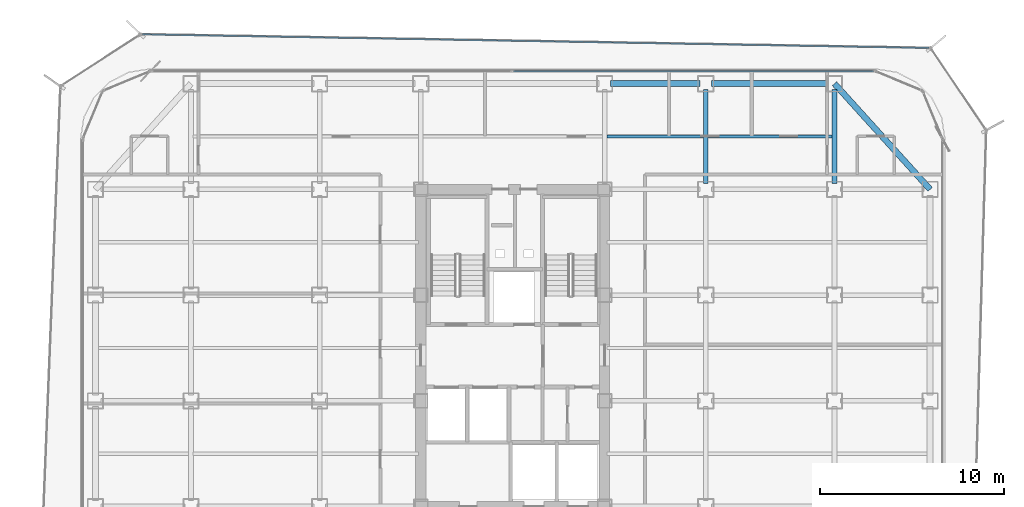
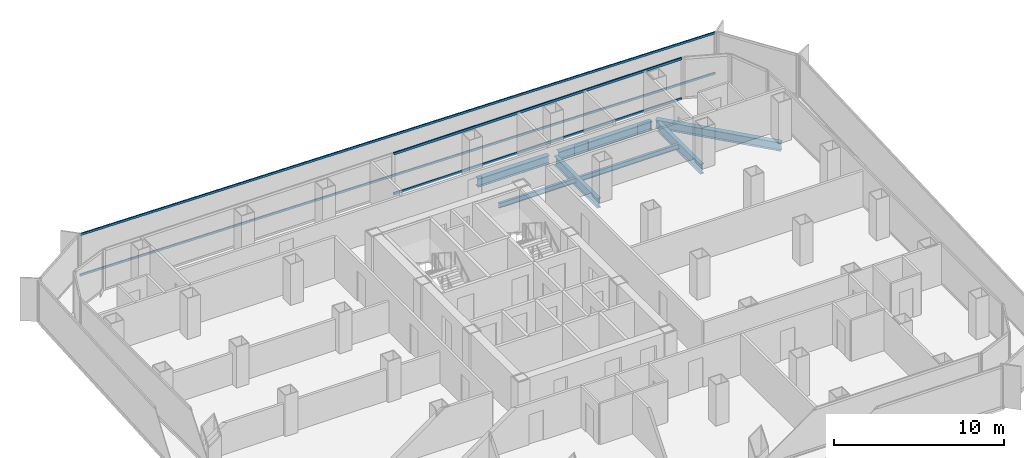
# One storey, part 13 of 21: 7 beams, 4 members, 2 elements without a shape of their own.
"""IFC4 building model written with IfcOpenShell, lengths in metres."""

from ifc_helpers import new_model, si_unit, direction, frame, origin, origin_2d, place, context, subcontext, project, spatial, hollow_rectangle, i_section, extrude, source, transform, mapped, material, layer, layer_set, material_profile, profile_set, type_object, element, aggregate, save


model = new_model("IFC4")

# Units and contexts
model_context = context("Model", 3, precision=1e-05, world=origin(), true_north=direction((0.0, 1.0)))
body_context = subcontext(model_context, "Body", "Model", "MODEL_VIEW")
ifc_project = project(units=[si_unit("LENGTHUNIT", "METRE"), si_unit("AREAUNIT", "SQUARE_METRE"), si_unit("VOLUMEUNIT", "CUBIC_METRE"), si_unit("PLANEANGLEUNIT", "RADIAN"), si_unit("MASSUNIT", "GRAM", prefix="KILO")], contexts=[model_context])

# Site, building, storey
site_placement = place(None, origin())
site = spatial("IfcSite", under=ifc_project, at=site_placement, CompositionType="ELEMENT")
building_placement = place(site_placement, origin())
building = spatial("IfcBuilding", under=site, at=building_placement, Name="Kolveth Station Tower", CompositionType="ELEMENT")
storey_placement = place(building_placement, frame((0.0, 0.0, 108.699951171875)))
storey = spatial("IfcBuildingStorey", under=building, at=storey_placement, Name="L29", CompositionType="ELEMENT", Elevation=108.699951171875)

# Beams
ifc_material_1 = material(Name="Steel S355", Category="steel")
ifc_material_profile_1 = material_profile(ifc_material_1, i_section(OverallWidth=0.323974609375, OverallDepth=0.611083984375, WebThickness=0.0126953125, FlangeThickness=0.01904296875, at=origin_2d()), Name="W610x155")
ifc_profile_set_1 = profile_set([ifc_material_profile_1], Name="Steel S355")
beam_type_1 = type_object("IfcBeamType", Name="Beam_SP2", PredefinedType="SPANDREL", material=ifc_profile_set_1)
shared_shape_1 = source(origin(), body_context, "Body", "SweptSolid", [
    extrude(i_section(OverallWidth=0.323974609375, OverallDepth=0.611083984375, WebThickness=0.0126953125, FlangeThickness=0.01904296875, at=origin_2d()), origin(), (0.0, 0.0, 1.0), 6.35986328125),
])
beam_1_placement = place(storey_placement, frame((34.320068359375, 34.5, -0.555419921875), z_axis=(1.0, 0.0, 0.0), x_axis=(0.0, 1.0, 0.0)))
element("IfcBeam", 1, at=beam_1_placement, inside=storey, type_object=beam_type_1, Name="L29 Perimeter Spandrel BM-L29-PN-5", PredefinedType="SPANDREL", context=body_context, shape_type="MappedRepresentation", body=[
    mapped(shared_shape_1, transform((0.0, 0.0, 0.0), x_axis=(1.0, 0.0, 0.0), y_axis=(0.0, 1.0, 0.0), z_axis=(0.0, 0.0, 1.0), scale=1.0)),
])
shared_shape_2 = source(origin(), body_context, "Body", "SweptSolid", [
    extrude(i_section(OverallWidth=0.323974609375, OverallDepth=0.611083984375, WebThickness=0.0126953125, FlangeThickness=0.01904296875, at=origin_2d()), origin(), (0.0, 0.0, 1.0), 4.85986328125),
])
beam_2_placement = place(storey_placement, frame((28.820068359375, 34.5, -0.555419921875), z_axis=(1.0, 0.0, 0.0), x_axis=(0.0, 1.0, 0.0)))
element("IfcBeam", 2, at=beam_2_placement, inside=storey, type_object=beam_type_1, Name="L29 Perimeter Spandrel BM-L29-PN-4", PredefinedType="SPANDREL", context=body_context, shape_type="MappedRepresentation", body=[
    mapped(shared_shape_2, transform((0.0, 0.0, 0.0), x_axis=(1.0, 0.0, 0.0), y_axis=(0.0, 1.0, 0.0), z_axis=(0.0, 0.0, 1.0), scale=1.0)),
])
shared_shape_3 = source(origin(), body_context, "Body", "SweptSolid", [
    extrude(i_section(OverallWidth=0.323974609375, OverallDepth=0.611083984375, WebThickness=0.0126953125, FlangeThickness=0.01904296875, at=origin_2d()), origin(), (0.0, 0.0, 1.0), 7.75244140625),
])
beam_3_placement = place(storey_placement, frame((46.199951171875, 28.75, -0.555419921875), z_axis=(-0.670740965555, 0.74169168603, 0.0), x_axis=(-0.74169168603, -0.670740965555, 0.0)))
element("IfcBeam", 3, at=beam_3_placement, inside=storey, type_object=beam_type_1, Name="L29 Corner Edge Girder BM-L29-CNR-NE", PredefinedType="SPANDREL", context=body_context, shape_type="MappedRepresentation", body=[
    mapped(shared_shape_3, transform((0.0, 0.0, 0.0), x_axis=(1.0, 0.0, 0.0), y_axis=(0.0, 1.0, 0.0), z_axis=(0.0, 0.0, 1.0), scale=1.0)),
])
ifc_material_profile_2 = material_profile(ifc_material_1, i_section(OverallWidth=0.25390625, OverallDepth=0.68798828125, WebThickness=0.01318359375, FlangeThickness=0.02099609375, at=origin_2d()), Name="W690x152")
ifc_profile_set_2 = profile_set([ifc_material_profile_2], Name="Steel S355")
beam_type_2 = type_object("IfcBeamType", Name="Beam_B4", PredefinedType="BEAM", material=ifc_profile_set_2)
shared_shape_4 = source(origin(), body_context, "Body", "SweptSolid", [
    extrude(i_section(OverallWidth=0.25390625, OverallDepth=0.68798828125, WebThickness=0.01318359375, FlangeThickness=0.02099609375, at=origin_2d()), origin(), (0.0, 0.0, 1.0), 5.10986328125),
])
for number, where, z_axis, x_axis, name in (
    (4, (34.0, 29.070068359375, -0.593994140625), (0.0, 1.0, 0.0), (-1.0, 0.0, 0.0), "L29 Primary Girder BM-L29-GX340-6"),
    (5, (41.0, 29.070068359375, -0.593994140625), (0.0, 1.0, 0.0), (-1.0, 0.0, 0.0), "L29 Primary Girder BM-L29-GX410-6"),
):
    element("IfcBeam", number, at=place(storey_placement, frame(where, z_axis=z_axis, x_axis=x_axis)), inside=storey, type_object=beam_type_2, Name=name, PredefinedType="BEAM", context=body_context, shape_type="MappedRepresentation", body=[
        mapped(shared_shape_4, transform((0.0, 0.0, 0.0), x_axis=(1.0, 0.0, 0.0), y_axis=(0.0, 1.0, 0.0), z_axis=(0.0, 0.0, 1.0), scale=1.0)),
    ])
ifc_material_profile_3 = material_profile(ifc_material_1, i_section(OverallWidth=0.1708984375, OverallDepth=0.35205078125, WebThickness=0.0068359375, FlangeThickness=0.009765625, at=origin_2d()), Name="W360x44")
ifc_profile_set_3 = profile_set([ifc_material_profile_3], Name="Steel S355")
beam_type_3 = type_object("IfcBeamType", Name="Beam_J2", PredefinedType="JOIST", material=ifc_profile_set_3)
shared_shape_5 = source(origin(), body_context, "Body", "SweptSolid", [
    extrude(i_section(OverallWidth=0.1708984375, OverallDepth=0.35205078125, WebThickness=0.0068359375, FlangeThickness=0.009765625, at=origin_2d()), origin(), (0.0, 0.0, 1.0), 6.75),
])
beam_4_placement = place(storey_placement, frame((34.125, 31.625, -0.426025390625), z_axis=(1.0, 0.0, 0.0), x_axis=(0.0, 1.0, 0.0)))
element("IfcBeam", 6, at=beam_4_placement, inside=storey, type_object=beam_type_3, Name="L29 Secondary Joist JST-L29-6-6", PredefinedType="JOIST", context=body_context, shape_type="MappedRepresentation", body=[
    mapped(shared_shape_5, transform((0.0, 0.0, 0.0), x_axis=(1.0, 0.0, 0.0), y_axis=(0.0, 1.0, 0.0), z_axis=(0.0, 0.0, 1.0), scale=1.0)),
])
shared_shape_6 = source(origin(), body_context, "Body", "SweptSolid", [
    extrude(i_section(OverallWidth=0.1708984375, OverallDepth=0.35205078125, WebThickness=0.0068359375, FlangeThickness=0.009765625, at=origin_2d()), origin(), (0.0, 0.0, 1.0), 5.25),
])
beam_5_placement = place(storey_placement, frame((28.625, 31.625, -0.426025390625), z_axis=(1.0, 0.0, 0.0), x_axis=(0.0, 1.0, 0.0)))
element("IfcBeam", 7, at=beam_5_placement, inside=storey, type_object=beam_type_3, Name="L29 Secondary Joist JST-L29-5-6", PredefinedType="JOIST", context=body_context, shape_type="MappedRepresentation", body=[
    mapped(shared_shape_6, transform((0.0, 0.0, 0.0), x_axis=(1.0, 0.0, 0.0), y_axis=(0.0, 1.0, 0.0), z_axis=(0.0, 0.0, 1.0), scale=1.0)),
])

# Curtain wall, members
ifc_material_2 = material(Name="Aluminium 6063-T6 and low-E dark glass", Category="aluminium")
ifc_layer_1 = layer(ifc_material_2, 0.18994140625)
ifc_layer_set_1 = layer_set([ifc_layer_1], Name="Aluminium 6063-T6 and low-E dark glass")
curtain_wall_type_1 = type_object("IfcCurtainWallType", Name="CurtainWall_CW-Z2", PredefinedType="NOTDEFINED", material=ifc_layer_set_1)
curtain_wall_1_placement = place(storey_placement, origin())
curtain_wall_1 = element("IfcCurtainWall", 8, at=curtain_wall_1_placement, inside=storey, type_object=curtain_wall_type_1, Name="L29 Inner Thermal Curtain Wall 6", PredefinedType="NOTDEFINED")
ifc_material_3 = material(Name="Black anodized aluminium 6063-T6", Category="aluminium")
ifc_material_profile_4 = material_profile(ifc_material_3, hollow_rectangle(XDim=0.080078125, YDim=0.169921875, WallThickness=0.0048828125, at=origin_2d()), Name="ALU-80x170x5")
ifc_profile_set_4 = profile_set([ifc_material_profile_4], Name="Black anodized aluminium 6063-T6")
member_type_1 = type_object("IfcMemberType", Name="Transom_TR2", PredefinedType="USERDEFINED", material=ifc_profile_set_4)
shared_shape_7 = source(origin(), body_context, "Body", "SweptSolid", [
    extrude(hollow_rectangle(XDim=0.080078125, YDim=0.169921875, WallThickness=0.0048828125, at=origin_2d()), origin(), (0.0, 0.0, 1.0), 19.580078125),
])
member_1_placement = place(storey_placement, frame((43.1201171875, 35.179931640625, 0.0400390625), z_axis=(-1.0, 0.0, 0.0), x_axis=(0.0, -1.0, 0.0)))
member_1 = element("IfcMember", 9, at=member_1_placement, type_object=member_type_1, Name="CW-Z2 transom 1.1", ObjectType="TRANSOM", PredefinedType="USERDEFINED", context=body_context, shape_type="MappedRepresentation", body=[
    mapped(shared_shape_7, transform((0.0, 0.0, 0.0), x_axis=(1.0, 0.0, 0.0), y_axis=(0.0, 1.0, 0.0), z_axis=(0.0, 0.0, 1.0), scale=1.0)),
])
member_2_placement = place(storey_placement, frame((43.1201171875, 35.179931640625, 2.91015625), z_axis=(-1.0, 0.0, 0.0), x_axis=(0.0, -1.0, 0.0)))
member_2 = element("IfcMember", 10, at=member_2_placement, type_object=member_type_1, Name="CW-Z2 transom 1.2", ObjectType="TRANSOM", PredefinedType="USERDEFINED", context=body_context, shape_type="MappedRepresentation", body=[
    mapped(shared_shape_7, transform((0.0, 0.0, 0.0), x_axis=(1.0, 0.0, 0.0), y_axis=(0.0, 1.0, 0.0), z_axis=(0.0, 0.0, 1.0), scale=1.0)),
])
aggregate(curtain_wall_1, [member_1, member_2])

ifc_material_4 = material(Name="Black anodized aluminium 6063-T6 and dark solar glass", Category="aluminium")
ifc_layer_2 = layer(ifc_material_4, 0.159912109375)
ifc_layer_set_2 = layer_set([ifc_layer_2], Name="Black anodized aluminium 6063-T6 and dark solar glass")
curtain_wall_type_2 = type_object("IfcCurtainWallType", Name="OUTER SKIN CW-OS", PredefinedType="NOTDEFINED", material=ifc_layer_set_2)
curtain_wall_2_placement = place(storey_placement, origin())
curtain_wall_2 = element("IfcCurtainWall", 11, at=curtain_wall_2_placement, inside=storey, type_object=curtain_wall_type_2, Name="L29 Outer Ventilated Skin Curtain Wall 4", PredefinedType="NOTDEFINED")
ifc_material_profile_5 = material_profile(ifc_material_3, hollow_rectangle(XDim=0.080078125, YDim=0.14990234375, WallThickness=0.0048828125, at=origin_2d()), Name="ALU-80x150x5")
ifc_profile_set_5 = profile_set([ifc_material_profile_5], Name="Black anodized aluminium 6063-T6")
member_type_2 = type_object("IfcMemberType", Name="Transom_TR-OS", PredefinedType="USERDEFINED", material=ifc_profile_set_5)
shared_shape_8 = source(origin(), body_context, "Body", "SweptSolid", [
    extrude(hollow_rectangle(XDim=0.080078125, YDim=0.14990234375, WallThickness=0.0048828125, at=origin_2d()), origin(), (0.0, 0.0, 1.0), 42.789794921875),
])
member_3_placement = place(storey_placement, frame((46.142822265625, 36.4404296875, 0.0400390625), z_axis=(-0.999849664338, 0.01733922501, 0.0), x_axis=(-0.01733922501, -0.999849664338, 0.0)))
member_3 = element("IfcMember", 12, at=member_3_placement, type_object=member_type_2, Name="CW-OS transom 1.1", ObjectType="TRANSOM", PredefinedType="USERDEFINED", context=body_context, shape_type="MappedRepresentation", body=[
    mapped(shared_shape_8, transform((0.0, 0.0, 0.0), x_axis=(1.0, 0.0, 0.0), y_axis=(0.0, 1.0, 0.0), z_axis=(0.0, 0.0, 1.0), scale=1.0)),
])
member_4_placement = place(storey_placement, frame((46.142822265625, 36.4404296875, 2.949951171875), z_axis=(-0.999849664338, 0.01733922501, 0.0), x_axis=(-0.01733922501, -0.999849664338, 0.0)))
member_4 = element("IfcMember", 13, at=member_4_placement, type_object=member_type_2, Name="CW-OS transom 1.2", ObjectType="TRANSOM", PredefinedType="USERDEFINED", context=body_context, shape_type="MappedRepresentation", body=[
    mapped(shared_shape_8, transform((0.0, 0.0, 0.0), x_axis=(1.0, 0.0, 0.0), y_axis=(0.0, 1.0, 0.0), z_axis=(0.0, 0.0, 1.0), scale=1.0)),
])
aggregate(curtain_wall_2, [member_3, member_4])

save(model, "model.ifc")
